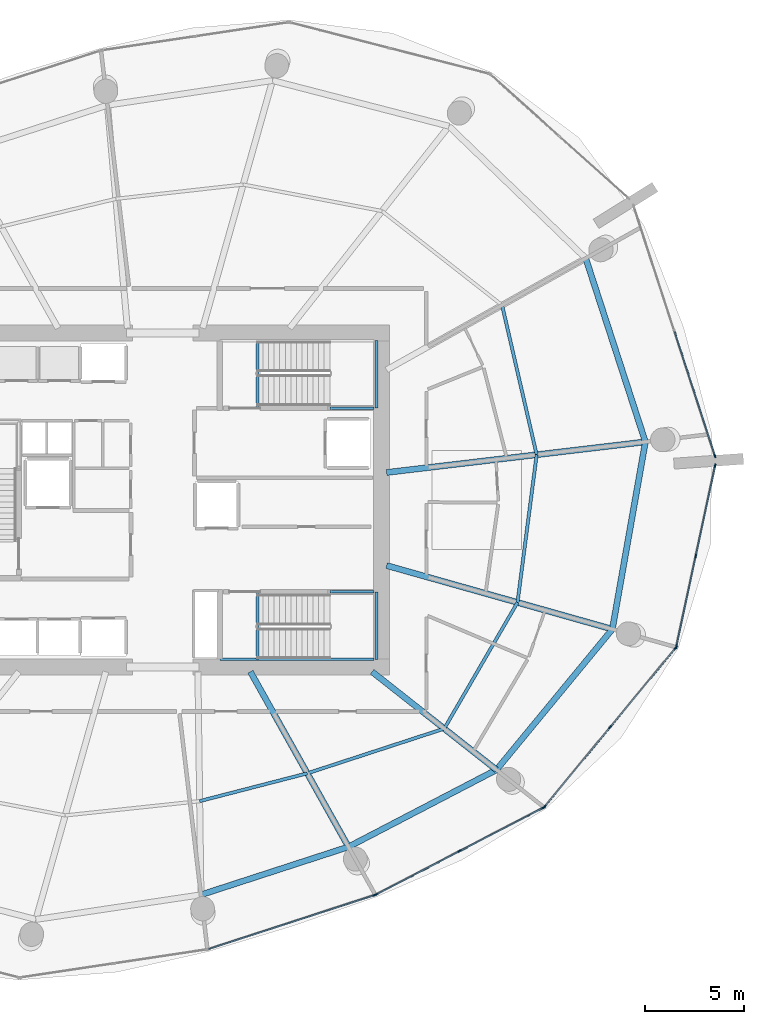
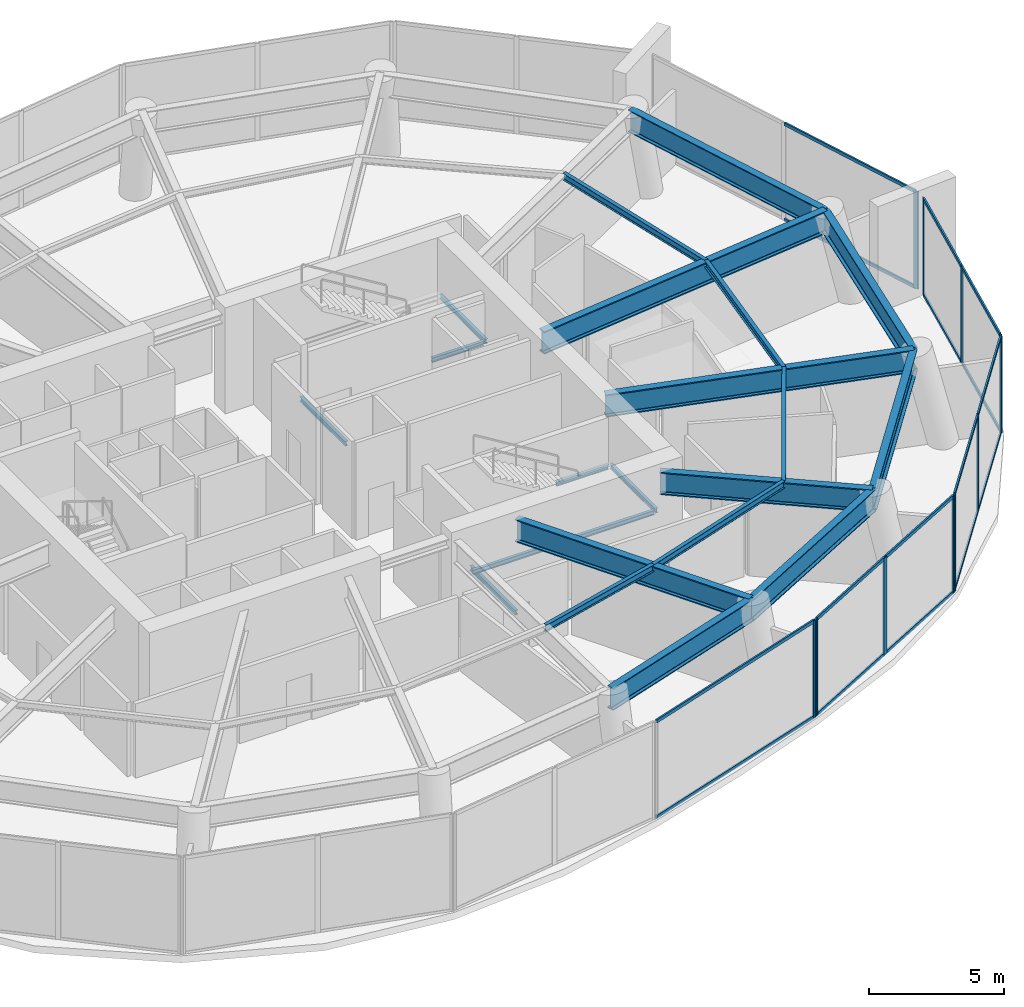
# One storey, part 7 of 16: 27 members, 21 beams, 5 elements without a shape of their own.
"""IFC4 building model written with IfcOpenShell, lengths in metres."""

from ifc_helpers import new_model, si_unit, direction, frame, origin, origin_2d, place, context, subcontext, project, spatial, rectangle, i_section, extrude, material, layer, layer_set, material_profile, profile_set, type_object, element, aggregate, save


model = new_model("IFC4")

# Units and contexts
model_context = context("Model", 3, precision=1e-05, world=origin(), true_north=direction((0.0, 1.0)))
body_context = subcontext(model_context, "Body", "Model", "MODEL_VIEW")
ifc_project = project(units=[si_unit("LENGTHUNIT", "METRE"), si_unit("AREAUNIT", "SQUARE_METRE"), si_unit("VOLUMEUNIT", "CUBIC_METRE"), si_unit("PLANEANGLEUNIT", "RADIAN"), si_unit("MASSUNIT", "GRAM", prefix="KILO")], contexts=[model_context])

# Site, building, storey
site_placement = place(None, origin())
site = spatial("IfcSite", under=ifc_project, at=site_placement, CompositionType="ELEMENT")
building_placement = place(site_placement, origin())
building = spatial("IfcBuilding", under=site, at=building_placement, Name="Kazma Halo Residences", CompositionType="ELEMENT")
storey_placement = place(building_placement, frame((0.0, 0.0, 123.0)))
storey = spatial("IfcBuildingStorey", under=building, at=storey_placement, Name="L30", CompositionType="ELEMENT", Elevation=123.0)

# Beams
ifc_material_1 = material(Name="Steel S355", Category="steel")
ifc_material_profile_1 = material_profile(ifc_material_1, i_section(OverallWidth=0.1650390625, OverallDepth=0.31005859375, WebThickness=0.005859375, FlangeThickness=0.009765625, FilletRadius=0.011962890625, at=origin_2d()), Name="W310x38.7")
ifc_profile_set_1 = profile_set([ifc_material_profile_1], Name="Steel S355")
beam_type_1 = type_object("IfcBeamType", Name="BM-SEC-W310B", PredefinedType="JOIST", material=ifc_profile_set_1)
beam_1_placement = place(storey_placement, frame((50.288818359375, 26.8359375, 4.2451171875), z_axis=(0.968208861999, 0.250143158103, 0.0), x_axis=(-0.250143158103, 0.968208861999, 0.0)))
element("IfcBeam", 1, at=beam_1_placement, inside=storey, type_object=beam_type_1, Name="L30 circumferential floor joist 12", PredefinedType="JOIST", context=body_context, shape_type="SweptSolid", body=[
    extrude(i_section(OverallWidth=0.1650390625, OverallDepth=0.31005859375, WebThickness=0.005859375, FlangeThickness=0.009765625, FilletRadius=0.011962890625, at=origin_2d()), origin(), (0.0, 0.0, 1.0), 5.597412109375),
])
beam_2_placement = place(storey_placement, frame((55.708251953125, 28.236083984375, 4.2451171875), z_axis=(0.950650235365, 0.310264612873, 0.0), x_axis=(-0.310264612873, 0.950650235365, 0.0)))
element("IfcBeam", 2, at=beam_2_placement, inside=storey, type_object=beam_type_1, Name="L30 circumferential floor joist 13", PredefinedType="JOIST", context=body_context, shape_type="SweptSolid", body=[
    extrude(i_section(OverallWidth=0.1650390625, OverallDepth=0.31005859375, WebThickness=0.005859375, FlangeThickness=0.009765625, FilletRadius=0.011962890625, at=origin_2d()), origin(), (0.0, 0.0, 1.0), 7.254150390625),
])
beam_3_placement = place(storey_placement, frame((62.6044921875, 30.48681640625, 4.2451171875), z_axis=(0.502217280807, 0.864741465907, 0.0), x_axis=(-0.864741465907, 0.502217280807, 0.0)))
element("IfcBeam", 3, at=beam_3_placement, inside=storey, type_object=beam_type_1, Name="L30 circumferential floor joist 14", PredefinedType="JOIST", context=body_context, shape_type="SweptSolid", body=[
    extrude(i_section(OverallWidth=0.1650390625, OverallDepth=0.31005859375, WebThickness=0.005859375, FlangeThickness=0.009765625, FilletRadius=0.011962890625, at=origin_2d()), origin(), (0.0, 0.0, 1.0), 7.347412109375),
])
beam_4_placement = place(storey_placement, frame((66.29443359375, 36.84033203125, 4.2451171875), z_axis=(0.128619821861, 0.991693975692, 0.0), x_axis=(-0.991693975692, 0.128619821861, 0.0)))
element("IfcBeam", 4, at=beam_4_placement, inside=storey, type_object=beam_type_1, Name="L30 circumferential floor joist 15", PredefinedType="JOIST", context=body_context, shape_type="SweptSolid", body=[
    extrude(i_section(OverallWidth=0.1650390625, OverallDepth=0.31005859375, WebThickness=0.005859375, FlangeThickness=0.009765625, FilletRadius=0.011962890625, at=origin_2d()), origin(), (0.0, 0.0, 1.0), 7.50146484375),
])
beam_5_placement = place(storey_placement, frame((67.25927734375, 44.279541015625, 4.2451171875), z_axis=(-0.225330067077, 0.97428248515, 0.0), x_axis=(-0.97428248515, -0.225330067077, 0.0)))
element("IfcBeam", 5, at=beam_5_placement, inside=storey, type_object=beam_type_1, Name="L30 circumferential floor joist 16", PredefinedType="JOIST", context=body_context, shape_type="SweptSolid", body=[
    extrude(i_section(OverallWidth=0.1650390625, OverallDepth=0.31005859375, WebThickness=0.005859375, FlangeThickness=0.009765625, FilletRadius=0.011962890625, at=origin_2d()), origin(), (0.0, 0.0, 1.0), 7.7294921875),
])
ifc_material_profile_2 = material_profile(ifc_material_1, i_section(OverallWidth=0.302001953125, OverallDepth=1.01806640625, WebThickness=0.021484375, FlangeThickness=0.049072265625, FilletRadius=0.028076171875, at=origin_2d()), Name="W1000x443")
ifc_profile_set_2 = profile_set([ifc_material_profile_2], Name="Steel S355")
beam_type_2 = type_object("IfcBeamType", Name="BM-TRANS-W1000A", PredefinedType="BEAM", material=ifc_profile_set_2)
beam_6_placement = place(storey_placement, frame((52.84423828125, 33.35009765625, 3.89111328125), z_axis=(0.488604104572, -0.872505603991, 0.0), x_axis=(0.872505603991, 0.488604104572, 0.0)))
element("IfcBeam", 6, at=beam_6_placement, inside=storey, type_object=beam_type_2, Name="L30 podium radial transfer girder 13", PredefinedType="BEAM", context=body_context, shape_type="SweptSolid", body=[
    extrude(i_section(OverallWidth=0.302001953125, OverallDepth=1.01806640625, WebThickness=0.021484375, FlangeThickness=0.049072265625, FilletRadius=0.028076171875, at=origin_2d()), origin(), (0.0, 0.0, 1.0), 10.105712890625),
])
beam_7_placement = place(storey_placement, frame((58.972412109375, 33.35009765625, 3.89111328125), z_axis=(0.78531754434, -0.61909317114, 0.0), x_axis=(0.61909317114, 0.78531754434, 0.0)))
element("IfcBeam", 7, at=beam_7_placement, inside=storey, type_object=beam_type_2, Name="L30 podium radial transfer girder 14", PredefinedType="BEAM", context=body_context, shape_type="SweptSolid", body=[
    extrude(i_section(OverallWidth=0.302001953125, OverallDepth=1.01806640625, WebThickness=0.021484375, FlangeThickness=0.049072265625, FilletRadius=0.028076171875, at=origin_2d()), origin(), (0.0, 0.0, 1.0), 7.973876953125),
])
beam_8_placement = place(storey_placement, frame((59.699951171875, 38.7001953125, 3.89111328125), z_axis=(0.962457290226, -0.271433167633, 0.0), x_axis=(0.271433167633, 0.962457290226, 0.0)))
element("IfcBeam", 8, at=beam_8_placement, inside=storey, type_object=beam_type_2, Name="L30 podium radial transfer girder 15", PredefinedType="BEAM", context=body_context, shape_type="SweptSolid", body=[
    extrude(i_section(OverallWidth=0.302001953125, OverallDepth=1.01806640625, WebThickness=0.021484375, FlangeThickness=0.049072265625, FilletRadius=0.028076171875, at=origin_2d()), origin(), (0.0, 0.0, 1.0), 11.8134765625),
])
beam_9_placement = place(storey_placement, frame((59.699951171875, 43.384765625, 3.89111328125), z_axis=(0.993067181848, 0.117548170278, 0.0), x_axis=(-0.117548170278, 0.993067181848, 0.0)))
element("IfcBeam", 9, at=beam_9_placement, inside=storey, type_object=beam_type_2, Name="L30 podium radial transfer girder 16", PredefinedType="BEAM", context=body_context, shape_type="SweptSolid", body=[
    extrude(i_section(OverallWidth=0.302001953125, OverallDepth=1.01806640625, WebThickness=0.021484375, FlangeThickness=0.049072265625, FilletRadius=0.028076171875, at=origin_2d()), origin(), (0.0, 0.0, 1.0), 13.124267578125),
])
ifc_material_profile_3 = material_profile(ifc_material_1, i_section(OverallWidth=0.300048828125, OverallDepth=1.0, WebThickness=0.01904296875, FlangeThickness=0.0400390625, FilletRadius=0.02587890625, at=origin_2d()), Name="W1000x371")
ifc_profile_set_3 = profile_set([ifc_material_profile_3], Name="Steel S355")
beam_type_3 = type_object("IfcBeamType", Name="BM-TRANS-W1000B", PredefinedType="BEAM", material=ifc_profile_set_3)
beam_10_placement = place(storey_placement, frame((50.35302734375, 22.118896484375, 3.89990234375), z_axis=(0.95105634578, 0.309017519167, 0.0), x_axis=(-0.309017519167, 0.95105634578, 0.0)))
element("IfcBeam", 10, at=beam_10_placement, inside=storey, type_object=beam_type_3, Name="L30 perimeter ring beam 12", PredefinedType="BEAM", context=body_context, shape_type="SweptSolid", body=[
    extrude(i_section(OverallWidth=0.300048828125, OverallDepth=1.0, WebThickness=0.01904296875, FlangeThickness=0.0400390625, FilletRadius=0.02587890625, at=origin_2d()), origin(), (0.0, 0.0, 1.0), 7.811279296875),
])
beam_11_placement = place(storey_placement, frame((57.781982421875, 24.53271484375, 3.89990234375), z_axis=(0.886943099021, 0.461878706046, 0.0), x_axis=(-0.461878706046, 0.886943099021, 0.0)))
element("IfcBeam", 11, at=beam_11_placement, inside=storey, type_object=beam_type_3, Name="L30 perimeter ring beam 13", PredefinedType="BEAM", context=body_context, shape_type="SweptSolid", body=[
    extrude(i_section(OverallWidth=0.300048828125, OverallDepth=1.0, WebThickness=0.01904296875, FlangeThickness=0.0400390625, FilletRadius=0.02587890625, at=origin_2d()), origin(), (0.0, 0.0, 1.0), 8.40234375),
])
beam_12_placement = place(storey_placement, frame((65.234375, 28.41357421875, 3.89990234375), z_axis=(0.636018723515, 0.771673624882, 0.0), x_axis=(-0.771673624882, 0.636018723515, 0.0)))
element("IfcBeam", 12, at=beam_12_placement, inside=storey, type_object=beam_type_3, Name="L30 perimeter ring beam 14", PredefinedType="BEAM", context=body_context, shape_type="SweptSolid", body=[
    extrude(i_section(OverallWidth=0.300048828125, OverallDepth=1.0, WebThickness=0.01904296875, FlangeThickness=0.0400390625, FilletRadius=0.02587890625, at=origin_2d()), origin(), (0.0, 0.0, 1.0), 9.175048828125),
])
beam_13_placement = place(storey_placement, frame((71.06982421875, 35.49365234375, 3.89990234375), z_axis=(0.173637033425, 0.984809717978, 0.0), x_axis=(-0.984809717978, 0.173637033425, 0.0)))
element("IfcBeam", 13, at=beam_13_placement, inside=storey, type_object=beam_type_3, Name="L30 perimeter ring beam 15", PredefinedType="BEAM", context=body_context, shape_type="SweptSolid", body=[
    extrude(i_section(OverallWidth=0.300048828125, OverallDepth=1.0, WebThickness=0.01904296875, FlangeThickness=0.0400390625, FilletRadius=0.02587890625, at=origin_2d()), origin(), (0.0, 0.0, 1.0), 9.579345703125),
])
beam_14_placement = place(storey_placement, frame((72.733154296875, 44.927490234375, 3.89990234375), z_axis=(-0.309020741629, 0.95105529873, 0.0), x_axis=(-0.95105529873, -0.309020741629, 0.0)))
element("IfcBeam", 14, at=beam_14_placement, inside=storey, type_object=beam_type_3, Name="L30 perimeter ring beam 16", PredefinedType="BEAM", context=body_context, shape_type="SweptSolid", body=[
    extrude(i_section(OverallWidth=0.300048828125, OverallDepth=1.0, WebThickness=0.01904296875, FlangeThickness=0.0400390625, FilletRadius=0.02587890625, at=origin_2d()), origin(), (0.0, 0.0, 1.0), 9.717529296875),
])
ifc_material_profile_4 = material_profile(ifc_material_1, i_section(OverallWidth=0.133056640625, OverallDepth=0.20703125, WebThickness=0.005859375, FlangeThickness=0.00830078125, FilletRadius=0.010009765625, at=origin_2d()), Name="W200x26.6")
ifc_profile_set_4 = profile_set([ifc_material_profile_4], Name="Steel S355")
beam_type_4 = type_object("IfcBeamType", Name="BM-TRIM-W200", PredefinedType="BEAM", material=ifc_profile_set_4)
for number, where, z_axis, x_axis, name in (
    (15, (53.199951171875, 46.6201171875, -0.429931640625), (0.0, 1.0, 0.0), (-1.0, 0.0, 0.0), "L30 ST-02 floor landing support beam"),
    (16, (53.199951171875, 34.0, -0.429931640625), (0.0, 1.0, 0.0), (-1.0, 0.0, 0.0), "L30 ST-03 floor landing support beam"),
):
    element("IfcBeam", number, at=place(storey_placement, frame(where, z_axis=z_axis, x_axis=x_axis)), inside=storey, type_object=beam_type_4, Name=name, PredefinedType="BEAM", context=body_context, shape_type="SweptSolid", body=[
        extrude(i_section(OverallWidth=0.133056640625, OverallDepth=0.20703125, WebThickness=0.005859375, FlangeThickness=0.00830078125, FilletRadius=0.010009765625, at=origin_2d()), origin(), (0.0, 0.0, 1.0), 3.3798828125),
    ])
beam_15_placement = place(storey_placement, frame((56.840087890625, 46.6201171875, 2.094970703125), z_axis=(1.0, 0.0, 0.0), x_axis=(0.0, 1.0, 0.0)))
element("IfcBeam", 17, at=beam_15_placement, inside=storey, type_object=beam_type_4, Name="L30 ST-02 landing south wall ledger", PredefinedType="BEAM", context=body_context, shape_type="SweptSolid", body=[
    extrude(i_section(OverallWidth=0.133056640625, OverallDepth=0.20703125, WebThickness=0.005859375, FlangeThickness=0.00830078125, FilletRadius=0.010009765625, at=origin_2d()), origin(), (0.0, 0.0, 1.0), 2.22998046875),
])
beam_16_placement = place(storey_placement, frame((59.18994140625, 46.6201171875, 2.094970703125), z_axis=(0.0, 1.0, 0.0), x_axis=(-1.0, 0.0, 0.0)))
element("IfcBeam", 18, at=beam_16_placement, inside=storey, type_object=beam_type_4, Name="L30 ST-02 landing end wall ledger", PredefinedType="BEAM", context=body_context, shape_type="SweptSolid", body=[
    extrude(i_section(OverallWidth=0.133056640625, OverallDepth=0.20703125, WebThickness=0.005859375, FlangeThickness=0.00830078125, FilletRadius=0.010009765625, at=origin_2d()), origin(), (0.0, 0.0, 1.0), 3.39990234375),
])
beam_17_placement = place(storey_placement, frame((51.31005859375, 33.97998046875, 2.094970703125), z_axis=(1.0, 0.0, 0.0), x_axis=(0.0, 1.0, 0.0)))
element("IfcBeam", 19, at=beam_17_placement, inside=storey, type_object=beam_type_4, Name="L30 ST-03 landing south wall ledger", PredefinedType="BEAM", context=body_context, shape_type="SweptSolid", body=[
    extrude(i_section(OverallWidth=0.133056640625, OverallDepth=0.20703125, WebThickness=0.005859375, FlangeThickness=0.00830078125, FilletRadius=0.010009765625, at=origin_2d()), origin(), (0.0, 0.0, 1.0), 7.760009765625),
])
beam_18_placement = place(storey_placement, frame((56.840087890625, 37.3798828125, 2.094970703125), z_axis=(1.0, 0.0, 0.0), x_axis=(0.0, 1.0, 0.0)))
element("IfcBeam", 20, at=beam_18_placement, inside=storey, type_object=beam_type_4, Name="L30 ST-03 landing north wall ledger", PredefinedType="BEAM", context=body_context, shape_type="SweptSolid", body=[
    extrude(i_section(OverallWidth=0.133056640625, OverallDepth=0.20703125, WebThickness=0.005859375, FlangeThickness=0.00830078125, FilletRadius=0.010009765625, at=origin_2d()), origin(), (0.0, 0.0, 1.0), 2.22998046875),
])
beam_19_placement = place(storey_placement, frame((59.18994140625, 33.97998046875, 2.094970703125), z_axis=(0.0, 1.0, 0.0), x_axis=(-1.0, 0.0, 0.0)))
element("IfcBeam", 21, at=beam_19_placement, inside=storey, type_object=beam_type_4, Name="L30 ST-03 landing end wall ledger", PredefinedType="BEAM", context=body_context, shape_type="SweptSolid", body=[
    extrude(i_section(OverallWidth=0.133056640625, OverallDepth=0.20703125, WebThickness=0.005859375, FlangeThickness=0.00830078125, FilletRadius=0.010009765625, at=origin_2d()), origin(), (0.0, 0.0, 1.0), 3.39990234375),
])

# Curtain wall, member
ifc_material_2 = material(Name="Aluminium AW-6063 T6 and Triple-Silver Low-E Glass", Category="aluminium")
ifc_layer = layer(ifc_material_2, 0.199951171875)
ifc_layer_set = layer_set([ifc_layer], Name="Aluminium AW-6063 T6 and Triple-Silver Low-E Glass")
curtain_wall_type = type_object("IfcCurtainWallType", Name="CW-SYS-3", PredefinedType="NOTDEFINED", material=ifc_layer_set)
curtain_wall_1_placement = place(storey_placement, origin())
curtain_wall_1 = element("IfcCurtainWall", 22, at=curtain_wall_1_placement, inside=storey, type_object=curtain_wall_type, Name="L30 unitised curtain wall B12", PredefinedType="NOTDEFINED")
ifc_material_3 = material(Name="Aluminium AW-6063 T6", Category="aluminium")
ifc_material_profile_5 = material_profile(ifc_material_3, rectangle(XDim=0.070068359375, YDim=0.199951171875, at=origin_2d()), Name="CWM-70x200")
ifc_profile_set_5 = profile_set([ifc_material_profile_5], Name="Aluminium AW-6063 T6")
member_type_1 = type_object("IfcMemberType", Name="CW-SYS-3-MUL", PredefinedType="MULLION", material=ifc_profile_set_5)
member_1_placement = place(storey_placement, frame((59.10205078125, 22.105712890625, 0.0), z_axis=(0.0, 0.0, 1.0), x_axis=(-0.309022243742, 0.951054810656, 0.0)))
member_1 = element("IfcMember", 23, at=member_1_placement, type_object=member_type_1, Name="CWS-3 mullion 2", PredefinedType="MULLION", context=body_context, shape_type="SweptSolid", body=[
    extrude(rectangle(XDim=0.070068359375, YDim=0.199951171875, at=origin_2d()), origin(), (0.0, 0.0, 1.0), 4.39990234375),
])

# Curtain wall, members
curtain_wall_2_placement = place(storey_placement, origin())
curtain_wall_2 = element("IfcCurtainWall", 24, at=curtain_wall_2_placement, inside=storey, type_object=curtain_wall_type, Name="L30 unitised curtain wall B13", PredefinedType="NOTDEFINED")
member_2_placement = place(storey_placement, frame((59.166259765625, 22.1328125, 0.0), z_axis=(0.0, 0.0, 1.0), x_axis=(-0.46088412536, 0.887460321925, 0.0)))
member_2 = element("IfcMember", 25, at=member_2_placement, type_object=member_type_1, Name="CWS-3 mullion 1", PredefinedType="MULLION", context=body_context, shape_type="SweptSolid", body=[
    extrude(rectangle(XDim=0.070068359375, YDim=0.199951171875, at=origin_2d()), origin(), (0.0, 0.0, 1.0), 4.39990234375),
])
member_3_placement = place(storey_placement, frame((63.38134765625, 24.32177734375, 0.0), z_axis=(0.0, 0.0, 1.0), x_axis=(-0.46088412536, 0.887460321925, 0.0)))
member_3 = element("IfcMember", 26, at=member_3_placement, type_object=member_type_1, Name="CWS-3 mullion 2", PredefinedType="MULLION", context=body_context, shape_type="SweptSolid", body=[
    extrude(rectangle(XDim=0.070068359375, YDim=0.199951171875, at=origin_2d()), origin(), (0.0, 0.0, 1.0), 4.39990234375),
])
member_4_placement = place(storey_placement, frame((67.596435546875, 26.5107421875, 0.0), z_axis=(0.0, 0.0, 1.0), x_axis=(-0.46088412536, 0.887460321925, 0.0)))
member_4 = element("IfcMember", 27, at=member_4_placement, type_object=member_type_1, Name="CWS-3 mullion 3", PredefinedType="MULLION", context=body_context, shape_type="SweptSolid", body=[
    extrude(rectangle(XDim=0.070068359375, YDim=0.199951171875, at=origin_2d()), origin(), (0.0, 0.0, 1.0), 4.39990234375),
])

curtain_wall_3_placement = place(storey_placement, origin())
curtain_wall_3 = element("IfcCurtainWall", 28, at=curtain_wall_3_placement, inside=storey, type_object=curtain_wall_type, Name="L30 unitised curtain wall B14", PredefinedType="NOTDEFINED")
member_5_placement = place(storey_placement, frame((67.64990234375, 26.553955078125, 0.0), z_axis=(0.0, 0.0, 1.0), x_axis=(-0.771065486446, 0.636755852437, 0.0)))
member_5 = element("IfcMember", 29, at=member_5_placement, type_object=member_type_1, Name="CWS-3 mullion 1", PredefinedType="MULLION", context=body_context, shape_type="SweptSolid", body=[
    extrude(rectangle(XDim=0.070068359375, YDim=0.199951171875, at=origin_2d()), origin(), (0.0, 0.0, 1.0), 4.39990234375),
])
member_6_placement = place(storey_placement, frame((70.955810546875, 30.55712890625, 0.0), z_axis=(0.0, 0.0, 1.0), x_axis=(-0.771065486446, 0.636755852437, 0.0)))
member_6 = element("IfcMember", 30, at=member_6_placement, type_object=member_type_1, Name="CWS-3 mullion 2", PredefinedType="MULLION", context=body_context, shape_type="SweptSolid", body=[
    extrude(rectangle(XDim=0.070068359375, YDim=0.199951171875, at=origin_2d()), origin(), (0.0, 0.0, 1.0), 4.39990234375),
])
member_7_placement = place(storey_placement, frame((74.26171875, 34.560302734375, 0.0), z_axis=(0.0, 0.0, 1.0), x_axis=(-0.771065486446, 0.636755852437, 0.0)))
member_7 = element("IfcMember", 31, at=member_7_placement, type_object=member_type_1, Name="CWS-3 mullion 3", PredefinedType="MULLION", context=body_context, shape_type="SweptSolid", body=[
    extrude(rectangle(XDim=0.070068359375, YDim=0.199951171875, at=origin_2d()), origin(), (0.0, 0.0, 1.0), 4.39990234375),
])

curtain_wall_4_placement = place(storey_placement, origin())
curtain_wall_4 = element("IfcCurtainWall", 32, at=curtain_wall_4_placement, inside=storey, type_object=curtain_wall_type, Name="L30 unitised curtain wall B15", PredefinedType="NOTDEFINED")
member_8_placement = place(storey_placement, frame((74.291259765625, 34.621337890625, 0.0), z_axis=(0.0, 0.0, 1.0), x_axis=(-0.977769929816, 0.209680624634, 0.0)))
member_8 = element("IfcMember", 33, at=member_8_placement, type_object=member_type_1, Name="CWS-3 mullion 1", PredefinedType="MULLION", context=body_context, shape_type="SweptSolid", body=[
    extrude(rectangle(XDim=0.070068359375, YDim=0.199951171875, at=origin_2d()), origin(), (0.0, 0.0, 1.0), 4.39990234375),
])
member_9_placement = place(storey_placement, frame((75.2666015625, 39.169921875, 0.0), z_axis=(0.0, 0.0, 1.0), x_axis=(-0.977769929816, 0.209680624634, 0.0)))
member_9 = element("IfcMember", 34, at=member_9_placement, type_object=member_type_1, Name="CWS-3 mullion 2", PredefinedType="MULLION", context=body_context, shape_type="SweptSolid", body=[
    extrude(rectangle(XDim=0.070068359375, YDim=0.199951171875, at=origin_2d()), origin(), (0.0, 0.0, 1.0), 4.39990234375),
])
member_10_placement = place(storey_placement, frame((76.241943359375, 43.71826171875, 0.0), z_axis=(0.0, 0.0, 1.0), x_axis=(-0.977769929816, 0.209680624634, 0.0)))
member_10 = element("IfcMember", 35, at=member_10_placement, type_object=member_type_1, Name="CWS-3 mullion 3", PredefinedType="MULLION", context=body_context, shape_type="SweptSolid", body=[
    extrude(rectangle(XDim=0.070068359375, YDim=0.199951171875, at=origin_2d()), origin(), (0.0, 0.0, 1.0), 4.39990234375),
])

# Curtain wall, member
curtain_wall_5_placement = place(storey_placement, origin())
curtain_wall_5 = element("IfcCurtainWall", 36, at=curtain_wall_5_placement, inside=storey, type_object=curtain_wall_type, Name="L30 unitised curtain wall B16", PredefinedType="NOTDEFINED")
member_11_placement = place(storey_placement, frame((76.231201171875, 44.231201171875, 0.0), z_axis=(0.0, 0.0, 1.0), x_axis=(-0.951056155872, -0.309018103641, 0.0)))
member_11 = element("IfcMember", 37, at=member_11_placement, type_object=member_type_1, Name="CWS-3 mullion 1", PredefinedType="MULLION", context=body_context, shape_type="SweptSolid", body=[
    extrude(rectangle(XDim=0.070068359375, YDim=0.199951171875, at=origin_2d()), origin(), (0.0, 0.0, 1.0), 4.39990234375),
])

# Member
ifc_material_profile_6 = material_profile(ifc_material_3, rectangle(XDim=0.070068359375, YDim=0.14990234375, at=origin_2d()), Name="CWT-70x150")
ifc_profile_set_6 = profile_set([ifc_material_profile_6], Name="Aluminium AW-6063 T6")
member_type_2 = type_object("IfcMemberType", Name="CW-SYS-3-TRN", PredefinedType="USERDEFINED", material=ifc_profile_set_6)
member_12_placement = place(storey_placement, frame((50.7451171875, 19.390380859375, 0.034912109375), z_axis=(0.951054976041, 0.30902173475, 0.0), x_axis=(-0.30902173475, 0.951054976041, 0.0)))
member_12 = element("IfcMember", 38, at=member_12_placement, type_object=member_type_2, Name="CWS-3 transom 1.1", ObjectType="TRANSOM", PredefinedType="USERDEFINED", context=body_context, shape_type="SweptSolid", body=[
    extrude(rectangle(XDim=0.070068359375, YDim=0.14990234375, at=origin_2d()), origin(), (0.0, 0.0, 1.0), 8.752197265625),
])

member_13_placement = place(storey_placement, frame((50.7451171875, 19.390380859375, 4.364990234375), z_axis=(0.951054976041, 0.30902173475, 0.0), x_axis=(-0.30902173475, 0.951054976041, 0.0)))
member_13 = element("IfcMember", 39, at=member_13_placement, type_object=member_type_2, Name="CWS-3 transom 1.2", ObjectType="TRANSOM", PredefinedType="USERDEFINED", context=body_context, shape_type="SweptSolid", body=[
    extrude(rectangle(XDim=0.070068359375, YDim=0.14990234375, at=origin_2d()), origin(), (0.0, 0.0, 1.0), 8.752197265625),
])

aggregate(curtain_wall_1, [member_1, member_12, member_13])

member_14_placement = place(storey_placement, frame((59.197509765625, 22.14892578125, 0.034912109375), z_axis=(0.887455861162, 0.460892714727, 0.0), x_axis=(-0.460892714727, 0.887455861162, 0.0)))
member_14 = element("IfcMember", 40, at=member_14_placement, type_object=member_type_2, Name="CWS-3 transom 1.1", ObjectType="TRANSOM", PredefinedType="USERDEFINED", context=body_context, shape_type="SweptSolid", body=[
    extrude(rectangle(XDim=0.070068359375, YDim=0.14990234375, at=origin_2d()), origin(), (0.0, 0.0, 1.0), 4.679443359375),
])

member_15_placement = place(storey_placement, frame((59.197509765625, 22.14892578125, 4.364990234375), z_axis=(0.887455861162, 0.460892714727, 0.0), x_axis=(-0.460892714727, 0.887455861162, 0.0)))
member_15 = element("IfcMember", 41, at=member_15_placement, type_object=member_type_2, Name="CWS-3 transom 1.2", ObjectType="TRANSOM", PredefinedType="USERDEFINED", context=body_context, shape_type="SweptSolid", body=[
    extrude(rectangle(XDim=0.070068359375, YDim=0.14990234375, at=origin_2d()), origin(), (0.0, 0.0, 1.0), 4.679443359375),
])

member_16_placement = place(storey_placement, frame((63.41259765625, 24.337890625, 0.034912109375), z_axis=(0.887455861162, 0.460892714727, 0.0), x_axis=(-0.460892714727, 0.887455861162, 0.0)))
member_16 = element("IfcMember", 42, at=member_16_placement, type_object=member_type_2, Name="CWS-3 transom 2.1", ObjectType="TRANSOM", PredefinedType="USERDEFINED", context=body_context, shape_type="SweptSolid", body=[
    extrude(rectangle(XDim=0.070068359375, YDim=0.14990234375, at=origin_2d()), origin(), (0.0, 0.0, 1.0), 4.679443359375),
])

member_17_placement = place(storey_placement, frame((63.41259765625, 24.337890625, 4.364990234375), z_axis=(0.887455861162, 0.460892714727, 0.0), x_axis=(-0.460892714727, 0.887455861162, 0.0)))
member_17 = element("IfcMember", 43, at=member_17_placement, type_object=member_type_2, Name="CWS-3 transom 2.2", ObjectType="TRANSOM", PredefinedType="USERDEFINED", context=body_context, shape_type="SweptSolid", body=[
    extrude(rectangle(XDim=0.070068359375, YDim=0.14990234375, at=origin_2d()), origin(), (0.0, 0.0, 1.0), 4.679443359375),
])

aggregate(curtain_wall_2, [member_2, member_3, member_4, member_14, member_15, member_16, member_17])

member_18_placement = place(storey_placement, frame((67.672119140625, 26.580810546875, 0.034912109375), z_axis=(0.63674593218, 0.771073678615, 0.0), x_axis=(-0.771073678615, 0.63674593218, 0.0)))
member_18 = element("IfcMember", 44, at=member_18_placement, type_object=member_type_2, Name="CWS-3 transom 1.1", ObjectType="TRANSOM", PredefinedType="USERDEFINED", context=body_context, shape_type="SweptSolid", body=[
    extrude(rectangle(XDim=0.070068359375, YDim=0.14990234375, at=origin_2d()), origin(), (0.0, 0.0, 1.0), 5.121826171875),
])

member_19_placement = place(storey_placement, frame((67.672119140625, 26.580810546875, 4.364990234375), z_axis=(0.63674593218, 0.771073678615, 0.0), x_axis=(-0.771073678615, 0.63674593218, 0.0)))
member_19 = element("IfcMember", 45, at=member_19_placement, type_object=member_type_2, Name="CWS-3 transom 1.2", ObjectType="TRANSOM", PredefinedType="USERDEFINED", context=body_context, shape_type="SweptSolid", body=[
    extrude(rectangle(XDim=0.070068359375, YDim=0.14990234375, at=origin_2d()), origin(), (0.0, 0.0, 1.0), 5.121826171875),
])

member_20_placement = place(storey_placement, frame((70.97802734375, 30.583984375, 0.034912109375), z_axis=(0.63674593218, 0.771073678615, 0.0), x_axis=(-0.771073678615, 0.63674593218, 0.0)))
member_20 = element("IfcMember", 46, at=member_20_placement, type_object=member_type_2, Name="CWS-3 transom 2.1", ObjectType="TRANSOM", PredefinedType="USERDEFINED", context=body_context, shape_type="SweptSolid", body=[
    extrude(rectangle(XDim=0.070068359375, YDim=0.14990234375, at=origin_2d()), origin(), (0.0, 0.0, 1.0), 5.121826171875),
])

member_21_placement = place(storey_placement, frame((70.97802734375, 30.583984375, 4.364990234375), z_axis=(0.63674593218, 0.771073678615, 0.0), x_axis=(-0.771073678615, 0.63674593218, 0.0)))
member_21 = element("IfcMember", 47, at=member_21_placement, type_object=member_type_2, Name="CWS-3 transom 2.2", ObjectType="TRANSOM", PredefinedType="USERDEFINED", context=body_context, shape_type="SweptSolid", body=[
    extrude(rectangle(XDim=0.070068359375, YDim=0.14990234375, at=origin_2d()), origin(), (0.0, 0.0, 1.0), 5.121826171875),
])

aggregate(curtain_wall_3, [member_5, member_6, member_7, member_18, member_19, member_20, member_21])

member_22_placement = place(storey_placement, frame((74.298583984375, 34.65576171875, 0.034912109375), z_axis=(0.209674644163, 0.977771212296, 0.0), x_axis=(-0.977771212296, 0.209674644163, 0.0)))
member_22 = element("IfcMember", 48, at=member_22_placement, type_object=member_type_2, Name="CWS-3 transom 1.1", ObjectType="TRANSOM", PredefinedType="USERDEFINED", context=body_context, shape_type="SweptSolid", body=[
    extrude(rectangle(XDim=0.070068359375, YDim=0.14990234375, at=origin_2d()), origin(), (0.0, 0.0, 1.0), 4.581787109375),
])

member_23_placement = place(storey_placement, frame((74.298583984375, 34.65576171875, 4.364990234375), z_axis=(0.209674644163, 0.977771212296, 0.0), x_axis=(-0.977771212296, 0.209674644163, 0.0)))
member_23 = element("IfcMember", 49, at=member_23_placement, type_object=member_type_2, Name="CWS-3 transom 1.2", ObjectType="TRANSOM", PredefinedType="USERDEFINED", context=body_context, shape_type="SweptSolid", body=[
    extrude(rectangle(XDim=0.070068359375, YDim=0.14990234375, at=origin_2d()), origin(), (0.0, 0.0, 1.0), 4.581787109375),
])

member_24_placement = place(storey_placement, frame((75.27392578125, 39.2041015625, 0.034912109375), z_axis=(0.209674644163, 0.977771212296, 0.0), x_axis=(-0.977771212296, 0.209674644163, 0.0)))
member_24 = element("IfcMember", 50, at=member_24_placement, type_object=member_type_2, Name="CWS-3 transom 2.1", ObjectType="TRANSOM", PredefinedType="USERDEFINED", context=body_context, shape_type="SweptSolid", body=[
    extrude(rectangle(XDim=0.070068359375, YDim=0.14990234375, at=origin_2d()), origin(), (0.0, 0.0, 1.0), 4.581787109375),
])

member_25_placement = place(storey_placement, frame((75.27392578125, 39.2041015625, 4.364990234375), z_axis=(0.209674644163, 0.977771212296, 0.0), x_axis=(-0.977771212296, 0.209674644163, 0.0)))
member_25 = element("IfcMember", 51, at=member_25_placement, type_object=member_type_2, Name="CWS-3 transom 2.2", ObjectType="TRANSOM", PredefinedType="USERDEFINED", context=body_context, shape_type="SweptSolid", body=[
    extrude(rectangle(XDim=0.070068359375, YDim=0.14990234375, at=origin_2d()), origin(), (0.0, 0.0, 1.0), 4.581787109375),
])

aggregate(curtain_wall_4, [member_8, member_9, member_10, member_22, member_23, member_24, member_25])

member_26_placement = place(storey_placement, frame((76.220458984375, 44.264404296875, 0.034912109375), z_axis=(-0.309020152218, 0.951055490244, 0.0), x_axis=(-0.951055490244, -0.309020152218, 0.0)))
member_26 = element("IfcMember", 52, at=member_26_placement, type_object=member_type_2, Name="CWS-3 transom 1.1", ObjectType="TRANSOM", PredefinedType="USERDEFINED", context=body_context, shape_type="SweptSolid", body=[
    extrude(rectangle(XDim=0.070068359375, YDim=0.14990234375, at=origin_2d()), origin(), (0.0, 0.0, 1.0), 6.5322265625),
])

member_27_placement = place(storey_placement, frame((76.220458984375, 44.264404296875, 4.364990234375), z_axis=(-0.309020152218, 0.951055490244, 0.0), x_axis=(-0.951055490244, -0.309020152218, 0.0)))
member_27 = element("IfcMember", 53, at=member_27_placement, type_object=member_type_2, Name="CWS-3 transom 1.2", ObjectType="TRANSOM", PredefinedType="USERDEFINED", context=body_context, shape_type="SweptSolid", body=[
    extrude(rectangle(XDim=0.070068359375, YDim=0.14990234375, at=origin_2d()), origin(), (0.0, 0.0, 1.0), 6.5322265625),
])

aggregate(curtain_wall_5, [member_11, member_26, member_27])

save(model, "model.ifc")
